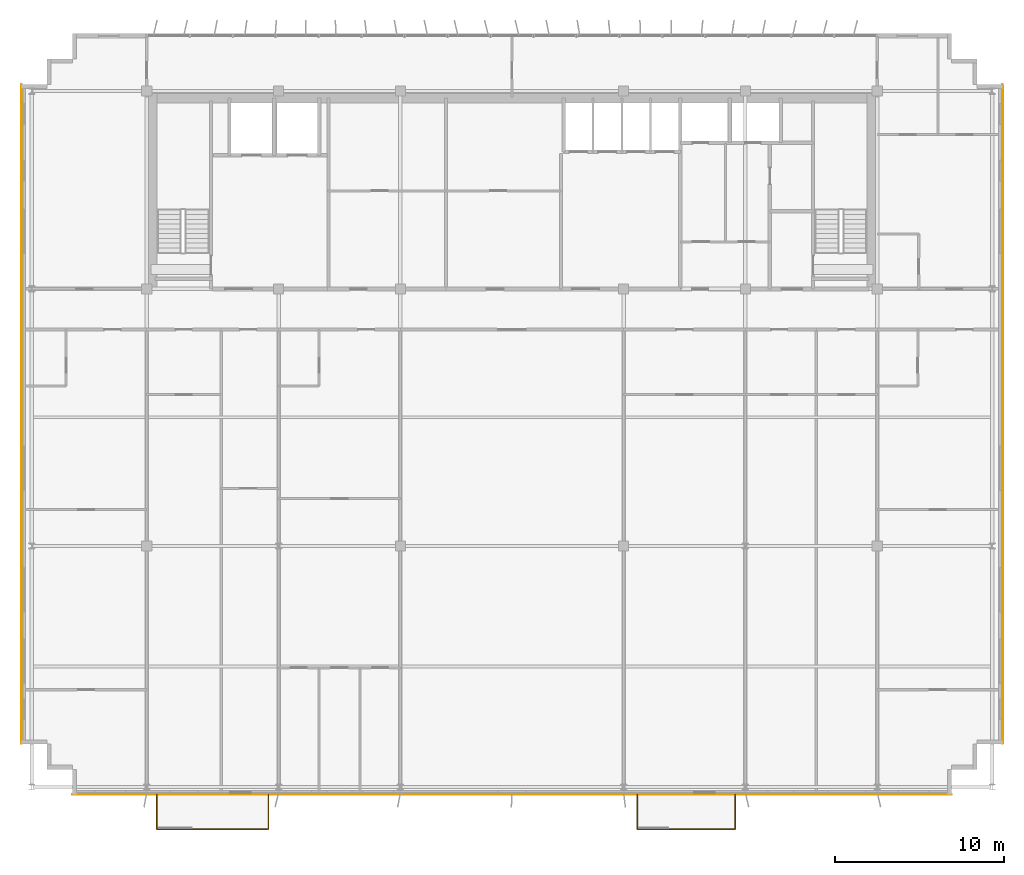
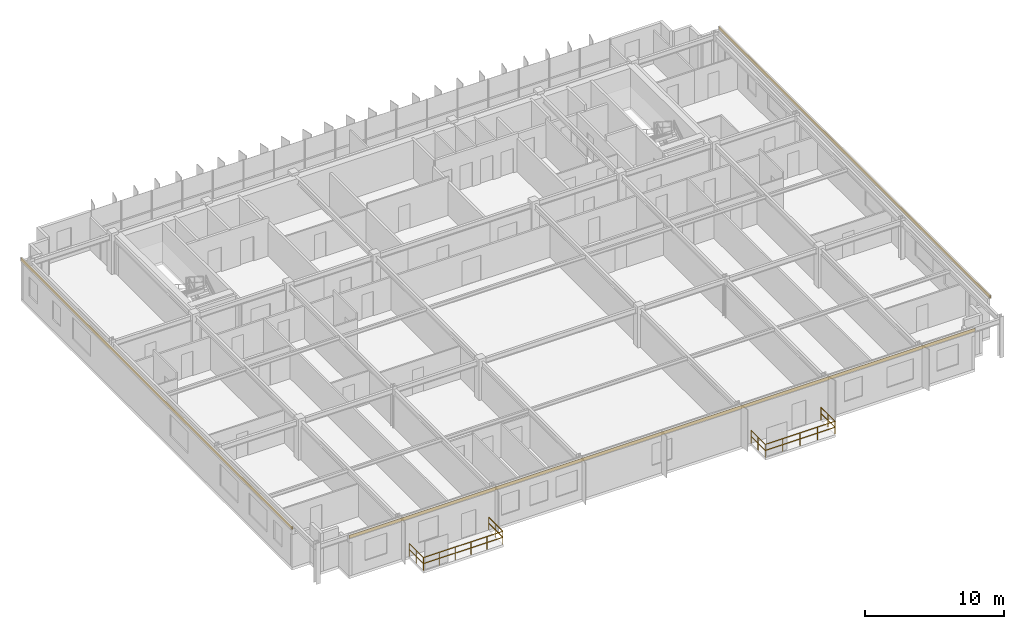
# One storey, part 21 of 22: 6 railings, 3 coverings.
"""IFC4 building model written with IfcOpenShell, lengths in metres."""

from ifc_helpers import new_model, si_unit, direction, frame, origin, origin_2d, place, context, subcontext, project, spatial, rectangle, extrude, source, transform, mapped, material, layer, layer_set, type_object, element, save


model = new_model("IFC4")

# Units and contexts
model_context = context("Model", 3, precision=1e-05, world=origin(), true_north=direction((0.0, 1.0)))
body_context = subcontext(model_context, "Body", "Model", "MODEL_VIEW")
ifc_project = project(units=[si_unit("LENGTHUNIT", "METRE"), si_unit("AREAUNIT", "SQUARE_METRE"), si_unit("VOLUMEUNIT", "CUBIC_METRE"), si_unit("PLANEANGLEUNIT", "RADIAN"), si_unit("MASSUNIT", "GRAM", prefix="KILO")], contexts=[model_context])

# Site, building, storey
site_placement = place(None, origin())
site = spatial("IfcSite", under=ifc_project, at=site_placement, CompositionType="ELEMENT")
building_placement = place(site_placement, origin())
building = spatial("IfcBuilding", under=site, at=building_placement, Name="Trelvane Seafront Commons", CompositionType="ELEMENT")
storey_placement = place(building_placement, frame((0.0, 0.0, 270.300048828125)))
storey = spatial("IfcBuildingStorey", under=building, at=storey_placement, Name="L70", CompositionType="ELEMENT", Elevation=270.300048828125)

# Railings
ifc_material_1 = material(Name="Stainless steel balustrade", Category="steel")
railing_type = type_object("IfcRailingType", Name="ARCH-RAIL-BAL1150", PredefinedType="BALUSTRADE", material=ifc_material_1)
railing_1_placement = place(storey_placement, frame((16.199951171875, 3.5, 0.0)))
element("IfcRailing", 1, at=railing_1_placement, inside=storey, type_object=railing_type, Name="RL-L70-BAL0-01", PredefinedType="BALUSTRADE", context=body_context, shape_type="SweptSolid", body=[
    extrude(rectangle(XDim=0.048095703125, YDim=0.048095703125, at=origin_2d()), frame((0.0, 0.0, 1.1259765625), z_axis=(0.0, -1.0, 0.0), x_axis=(1.0, 0.0, 0.0)), (0.0, 0.0, 1.0), 2.0400390625),
    extrude(rectangle(XDim=0.048095703125, YDim=0.048095703125, at=origin_2d()), frame((0.0, 0.0, 0.597900390625), z_axis=(0.0, -1.0, 0.0), x_axis=(1.0, 0.0, 0.0)), (0.0, 0.0, 1.0), 2.0400390625),
    extrude(rectangle(XDim=0.0419921875, YDim=0.0419921875, at=origin_2d()), origin(), (0.0, 0.0, 1.0), 1.1259765625),
    extrude(rectangle(XDim=0.0419921875, YDim=0.0419921875, at=origin_2d()), frame((0.0, -1.02001953125, 0.0)), (0.0, 0.0, 1.0), 1.1259765625),
    extrude(rectangle(XDim=0.0419921875, YDim=0.0419921875, at=origin_2d()), frame((0.0, -2.0400390625, 0.0)), (0.0, 0.0, 1.0), 1.1259765625),
])
railing_2_placement = place(storey_placement, frame((16.199951171875, 1.4599609375, 0.0)))
element("IfcRailing", 2, at=railing_2_placement, inside=storey, type_object=railing_type, Name="RL-L70-BAL0-02", PredefinedType="BALUSTRADE", context=body_context, shape_type="SweptSolid", body=[
    extrude(rectangle(XDim=0.048095703125, YDim=0.048095703125, at=origin_2d()), frame((0.0, 0.0, 1.1259765625), z_axis=(1.0, 0.0, 0.0), x_axis=(0.0, 1.0, 0.0)), (0.0, 0.0, 1.0), 6.60009765625),
    extrude(rectangle(XDim=0.048095703125, YDim=0.048095703125, at=origin_2d()), frame((0.0, 0.0, 0.597900390625), z_axis=(1.0, 0.0, 0.0), x_axis=(0.0, 1.0, 0.0)), (0.0, 0.0, 1.0), 6.60009765625),
    extrude(rectangle(XDim=0.0419921875, YDim=0.0419921875, at=origin_2d()), origin(), (0.0, 0.0, 1.0), 1.1259765625),
    extrude(rectangle(XDim=0.0419921875, YDim=0.0419921875, at=origin_2d()), frame((1.320068359375, 0.0, 0.0)), (0.0, 0.0, 1.0), 1.1259765625),
    extrude(rectangle(XDim=0.0419921875, YDim=0.0419921875, at=origin_2d()), frame((2.64013671875, 0.0, 0.0)), (0.0, 0.0, 1.0), 1.1259765625),
    extrude(rectangle(XDim=0.0419921875, YDim=0.0419921875, at=origin_2d()), frame((3.9599609375, 0.0, 0.0)), (0.0, 0.0, 1.0), 1.1259765625),
    extrude(rectangle(XDim=0.0419921875, YDim=0.0419921875, at=origin_2d()), frame((5.280029296875, 0.0, 0.0)), (0.0, 0.0, 1.0), 1.1259765625),
    extrude(rectangle(XDim=0.0419921875, YDim=0.0419921875, at=origin_2d()), frame((6.60009765625, 0.0, 0.0)), (0.0, 0.0, 1.0), 1.1259765625),
])
railing_3_placement = place(storey_placement, frame((22.800048828125, 1.4599609375, 0.0)))
element("IfcRailing", 3, at=railing_3_placement, inside=storey, type_object=railing_type, Name="RL-L70-BAL0-03", PredefinedType="BALUSTRADE", context=body_context, shape_type="SweptSolid", body=[
    extrude(rectangle(XDim=0.048095703125, YDim=0.048095703125, at=origin_2d()), frame((0.0, 0.0, 1.1259765625), z_axis=(0.0, 1.0, 0.0), x_axis=(-1.0, 0.0, 0.0)), (0.0, 0.0, 1.0), 2.0400390625),
    extrude(rectangle(XDim=0.048095703125, YDim=0.048095703125, at=origin_2d()), frame((0.0, 0.0, 0.597900390625), z_axis=(0.0, 1.0, 0.0), x_axis=(-1.0, 0.0, 0.0)), (0.0, 0.0, 1.0), 2.0400390625),
    extrude(rectangle(XDim=0.0419921875, YDim=0.0419921875, at=origin_2d()), origin(), (0.0, 0.0, 1.0), 1.1259765625),
    extrude(rectangle(XDim=0.0419921875, YDim=0.0419921875, at=origin_2d()), frame((0.0, 1.02001953125, 0.0)), (0.0, 0.0, 1.0), 1.1259765625),
    extrude(rectangle(XDim=0.0419921875, YDim=0.0419921875, at=origin_2d()), frame((0.0, 2.0400390625, 0.0)), (0.0, 0.0, 1.0), 1.1259765625),
])
railing_4_placement = place(storey_placement, frame((44.60009765625, 3.5, 0.0)))
element("IfcRailing", 4, at=railing_4_placement, inside=storey, type_object=railing_type, Name="RL-L70-BAL1-01", PredefinedType="BALUSTRADE", context=body_context, shape_type="SweptSolid", body=[
    extrude(rectangle(XDim=0.048095703125, YDim=0.048095703125, at=origin_2d()), frame((0.0, 0.0, 1.1259765625), z_axis=(0.0, -1.0, 0.0), x_axis=(1.0, 0.0, 0.0)), (0.0, 0.0, 1.0), 2.0400390625),
    extrude(rectangle(XDim=0.048095703125, YDim=0.048095703125, at=origin_2d()), frame((0.0, 0.0, 0.597900390625), z_axis=(0.0, -1.0, 0.0), x_axis=(1.0, 0.0, 0.0)), (0.0, 0.0, 1.0), 2.0400390625),
    extrude(rectangle(XDim=0.0419921875, YDim=0.0419921875, at=origin_2d()), origin(), (0.0, 0.0, 1.0), 1.1259765625),
    extrude(rectangle(XDim=0.0419921875, YDim=0.0419921875, at=origin_2d()), frame((0.0, -1.02001953125, 0.0)), (0.0, 0.0, 1.0), 1.1259765625),
    extrude(rectangle(XDim=0.0419921875, YDim=0.0419921875, at=origin_2d()), frame((0.0, -2.0400390625, 0.0)), (0.0, 0.0, 1.0), 1.1259765625),
])
railing_5_placement = place(storey_placement, frame((44.60009765625, 1.4599609375, 0.0)))
element("IfcRailing", 5, at=railing_5_placement, inside=storey, type_object=railing_type, Name="RL-L70-BAL1-02", PredefinedType="BALUSTRADE", context=body_context, shape_type="SweptSolid", body=[
    extrude(rectangle(XDim=0.048095703125, YDim=0.048095703125, at=origin_2d()), frame((0.0, 0.0, 1.1259765625), z_axis=(1.0, 0.0, 0.0), x_axis=(0.0, 1.0, 0.0)), (0.0, 0.0, 1.0), 5.7998046875),
    extrude(rectangle(XDim=0.048095703125, YDim=0.048095703125, at=origin_2d()), frame((0.0, 0.0, 0.597900390625), z_axis=(1.0, 0.0, 0.0), x_axis=(0.0, 1.0, 0.0)), (0.0, 0.0, 1.0), 5.7998046875),
    extrude(rectangle(XDim=0.0419921875, YDim=0.0419921875, at=origin_2d()), origin(), (0.0, 0.0, 1.0), 1.1259765625),
    extrude(rectangle(XDim=0.0419921875, YDim=0.0419921875, at=origin_2d()), frame((1.449951171875, 0.0, 0.0)), (0.0, 0.0, 1.0), 1.1259765625),
    extrude(rectangle(XDim=0.0419921875, YDim=0.0419921875, at=origin_2d()), frame((2.89990234375, 0.0, 0.0)), (0.0, 0.0, 1.0), 1.1259765625),
    extrude(rectangle(XDim=0.0419921875, YDim=0.0419921875, at=origin_2d()), frame((4.349853515625, 0.0, 0.0)), (0.0, 0.0, 1.0), 1.1259765625),
    extrude(rectangle(XDim=0.0419921875, YDim=0.0419921875, at=origin_2d()), frame((5.7998046875, 0.0, 0.0)), (0.0, 0.0, 1.0), 1.1259765625),
])
railing_6_placement = place(storey_placement, frame((50.39990234375, 1.4599609375, 0.0)))
element("IfcRailing", 6, at=railing_6_placement, inside=storey, type_object=railing_type, Name="RL-L70-BAL1-03", PredefinedType="BALUSTRADE", context=body_context, shape_type="SweptSolid", body=[
    extrude(rectangle(XDim=0.048095703125, YDim=0.048095703125, at=origin_2d()), frame((0.0, 0.0, 1.1259765625), z_axis=(0.0, 1.0, 0.0), x_axis=(-1.0, 0.0, 0.0)), (0.0, 0.0, 1.0), 2.0400390625),
    extrude(rectangle(XDim=0.048095703125, YDim=0.048095703125, at=origin_2d()), frame((0.0, 0.0, 0.597900390625), z_axis=(0.0, 1.0, 0.0), x_axis=(-1.0, 0.0, 0.0)), (0.0, 0.0, 1.0), 2.0400390625),
    extrude(rectangle(XDim=0.0419921875, YDim=0.0419921875, at=origin_2d()), origin(), (0.0, 0.0, 1.0), 1.1259765625),
    extrude(rectangle(XDim=0.0419921875, YDim=0.0419921875, at=origin_2d()), frame((0.0, 1.02001953125, 0.0)), (0.0, 0.0, 1.0), 1.1259765625),
    extrude(rectangle(XDim=0.0419921875, YDim=0.0419921875, at=origin_2d()), frame((0.0, 2.0400390625, 0.0)), (0.0, 0.0, 1.0), 1.1259765625),
])

# Coverings
ifc_material_2 = material(Name="Anodised pale-silver aluminium", Category="aluminium")
ifc_layer = layer(ifc_material_2, 0.034912109375, Name="ARCH-COV-CLAD35")
ifc_layer_set = layer_set([ifc_layer], Name="Anodised pale-silver aluminium")
covering_type = type_object("IfcCoveringType", Name="ARCH-COV-CLAD35", PredefinedType="CLADDING", material=ifc_layer_set)
shared_shape_1 = source(origin(), body_context, "Body", "SweptSolid", [
    extrude(rectangle(XDim=39.0, YDim=0.034912109375, at=origin_2d()), origin(), (0.0, 0.0, 1.0), 0.27001953125),
])
for number, where, z_axis, x_axis, name in (
    (7, (8.199951171875, 26.0, 3.329833984375), (0.0, 0.0, 1.0), (0.0, 1.0, 0.0), "CLD-L70-00281"),
    (8, (66.199951171875, 26.0, 3.329833984375), (0.0, 0.0, 1.0), (0.0, -1.0, 0.0), "CLD-L70-00282"),
):
    element("IfcCovering", number, at=place(storey_placement, frame(where, z_axis=z_axis, x_axis=x_axis)), inside=storey, type_object=covering_type, Name=name, PredefinedType="CLADDING", context=body_context, shape_type="MappedRepresentation", body=[
        mapped(shared_shape_1, transform((0.0, 0.0, 0.0), x_axis=(1.0, 0.0, 0.0), y_axis=(0.0, 1.0, 0.0), z_axis=(0.0, 0.0, 1.0), scale=1.0)),
    ])
shared_shape_2 = source(origin(), body_context, "Body", "SweptSolid", [
    extrude(rectangle(XDim=52.0, YDim=0.034912109375, at=origin_2d()), origin(), (0.0, 0.0, 1.0), 0.27001953125),
])
covering_placement = place(storey_placement, frame((37.199951171875, 3.5, 3.329833984375), z_axis=(0.0, 0.0, 1.0), x_axis=(-1.0, 0.0, 0.0)))
element("IfcCovering", 9, at=covering_placement, inside=storey, type_object=covering_type, Name="CLD-L70-00283", PredefinedType="CLADDING", context=body_context, shape_type="MappedRepresentation", body=[
    mapped(shared_shape_2, transform((0.0, 0.0, 0.0), x_axis=(1.0, 0.0, 0.0), y_axis=(0.0, 1.0, 0.0), z_axis=(0.0, 0.0, 1.0), scale=1.0)),
])

save(model, "model.ifc")
